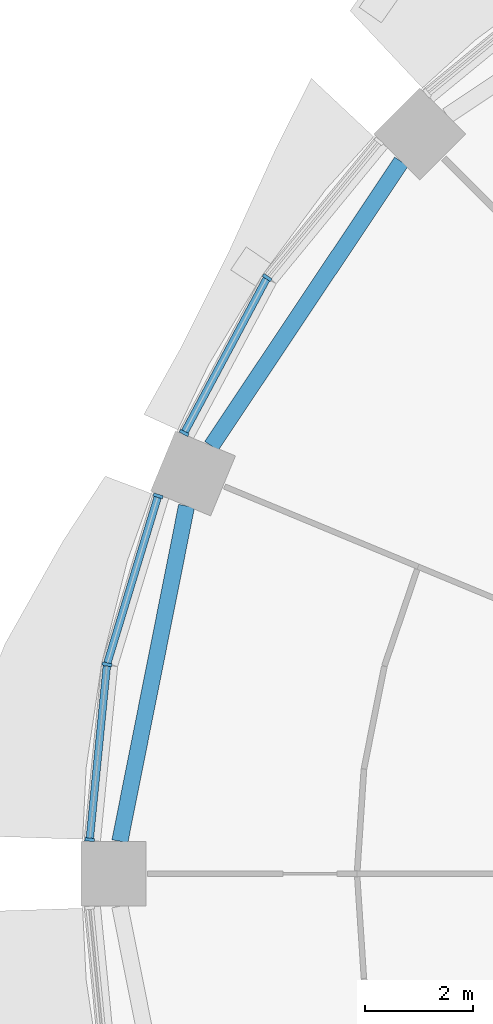
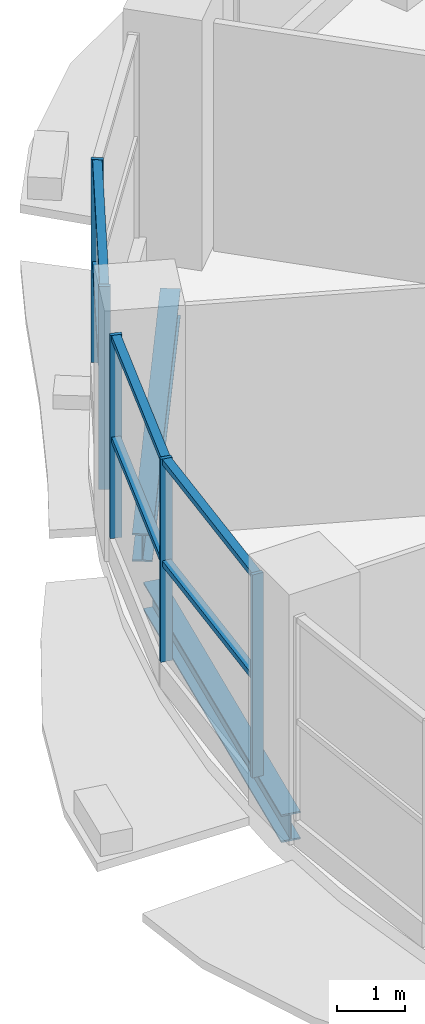
# One storey, part 3 of 14: 11 members, 2 beams, 2 elements without a shape of their own.
"""IFC4 building model written with IfcOpenShell, lengths in metres."""

from ifc_helpers import new_model, si_unit, direction, frame, origin, origin_2d, place, context, subcontext, project, spatial, rectangle, i_section, extrude, material, material_profile, profile_set, type_object, element, aggregate, save


model = new_model("IFC4")

# Units and contexts
model_context = context("Model", 3, precision=1e-05, world=origin(), true_north=direction((0.0, 1.0)))
body_context = subcontext(model_context, "Body", "Model", "MODEL_VIEW")
ifc_project = project(units=[si_unit("LENGTHUNIT", "METRE"), si_unit("AREAUNIT", "SQUARE_METRE"), si_unit("VOLUMEUNIT", "CUBIC_METRE"), si_unit("PLANEANGLEUNIT", "RADIAN"), si_unit("MASSUNIT", "GRAM", prefix="KILO")], contexts=[model_context])

# Site, building, storey
site_placement = place(None, origin())
site = spatial("IfcSite", under=ifc_project, at=site_placement, CompositionType="ELEMENT")
building_placement = place(site_placement, origin())
building = spatial("IfcBuilding", under=site, at=building_placement, Name="Polderwave Tower", CompositionType="ELEMENT")
storey_placement = place(building_placement, frame((0.0, 0.0, 9.89990234375)))
storey = spatial("IfcBuildingStorey", under=building, at=storey_placement, Name="L02", CompositionType="ELEMENT", Elevation=9.89990234375)

# Beams
ifc_material_1 = material(Name="Steel S355", Category="steel")
ifc_material_profile_1 = material_profile(ifc_material_1, i_section(OverallWidth=0.300048828125, OverallDepth=0.5, WebThickness=0.014404296875, FlangeThickness=0.028076171875, at=origin_2d()), Name="HE 500 B")
ifc_profile_set_1 = profile_set([ifc_material_profile_1], Name="Steel S355")
beam_type = type_object("IfcBeamType", Name="RING BEAM HE 500 B", PredefinedType="BEAM", material=ifc_profile_set_1)
for number, where, z_axis, x_axis, name in (
    (1, (-14.001220703125, 13.152587890625, -0.64990234375), (-0.555574248011, -0.831466929557, 0.0), (0.831466929557, -0.555574248011, 0.0), "ST-RB-L02-06"),
    (2, (-17.96875, 6.79345703125, -0.64990234375), (-0.195089989691, -0.980785346507, 0.0), (0.980785346507, -0.195089989691, 0.0), "ST-RB-L02-07"),
):
    element("IfcBeam", number, at=place(storey_placement, frame(where, z_axis=z_axis, x_axis=x_axis)), inside=storey, type_object=beam_type, Name=name, PredefinedType="BEAM", context=body_context, shape_type="SweptSolid", body=[
        extrude(i_section(OverallWidth=0.300048828125, OverallDepth=0.5, WebThickness=0.014404296875, FlangeThickness=0.028076171875, at=origin_2d()), origin(), (0.0, 0.0, 1.0), 6.314697265625),
    ])

# Curtain wall, members
ifc_material_2 = material(Name="Aluminium 6063-T6 and glass", Category="aluminium")
curtain_wall_type = type_object("IfcCurtainWallType", Name="Shopfront glazing wall", PredefinedType="NOTDEFINED", material=ifc_material_2)
curtain_wall_1_placement = place(storey_placement, origin())
curtain_wall_1 = element("IfcCurtainWall", 3, at=curtain_wall_1_placement, inside=storey, type_object=curtain_wall_type, Name="CW1 L02 06", PredefinedType="NOTDEFINED")
ifc_material_3 = material(Name="Aluminium 6063-T6", Category="aluminium")
ifc_material_profile_2 = material_profile(ifc_material_3, rectangle(XDim=0.179931640625, YDim=0.06005859375, at=origin_2d()), Name="AL 60x180")
ifc_profile_set_2 = profile_set([ifc_material_profile_2], Name="Aluminium 6063-T6")
member_type_1 = type_object("IfcMemberType", Name="Shopfront glazing mullion 60x180", PredefinedType="MULLION", material=ifc_profile_set_2)
member_1_placement = place(storey_placement, frame((-16.47998046875, 11.010986328125, 0.4501953125), z_axis=(0.0, 0.0, 1.0), x_axis=(0.831492883245, -0.555535404015, 0.0)))
member_1 = element("IfcMember", 4, at=member_1_placement, type_object=member_type_1, Name="CW1 mullion 2", PredefinedType="MULLION", context=body_context, shape_type="SweptSolid", body=[
    extrude(rectangle(XDim=0.179931640625, YDim=0.06005859375, at=origin_2d()), origin(), (0.0, 0.0, 1.0), 3.64990234375),
])
member_2_placement = place(storey_placement, frame((-18.012939453125, 8.142578125, 0.4501953125), z_axis=(0.0, 0.0, 1.0), x_axis=(0.881973091795, -0.471299761669, 0.0)))
member_2 = element("IfcMember", 5, at=member_2_placement, type_object=member_type_1, Name="CW1 mullion 3", PredefinedType="MULLION", context=body_context, shape_type="SweptSolid", body=[
    extrude(rectangle(XDim=0.179931640625, YDim=0.06005859375, at=origin_2d()), origin(), (0.0, 0.0, 1.0), 3.64990234375),
])

curtain_wall_2_placement = place(storey_placement, origin())
curtain_wall_2 = element("IfcCurtainWall", 6, at=curtain_wall_2_placement, inside=storey, type_object=curtain_wall_type, Name="CW1 L02 07", PredefinedType="NOTDEFINED")
member_3_placement = place(storey_placement, frame((-18.49462890625, 6.979248046875, 0.4501953125), z_axis=(0.0, 0.0, 1.0), x_axis=(0.956924628419, -0.290336452284, 0.0)))
member_3 = element("IfcMember", 7, at=member_3_placement, type_object=member_type_1, Name="CW1 mullion 1", PredefinedType="MULLION", context=body_context, shape_type="SweptSolid", body=[
    extrude(rectangle(XDim=0.179931640625, YDim=0.06005859375, at=origin_2d()), origin(), (0.0, 0.0, 1.0), 3.64990234375),
])
member_4_placement = place(storey_placement, frame((-19.43896484375, 3.866943359375, 0.4501953125), z_axis=(0.0, 0.0, 1.0), x_axis=(0.980773020581, -0.195151946188, 0.0)))
member_4 = element("IfcMember", 8, at=member_4_placement, type_object=member_type_1, Name="CW1 mullion 2", PredefinedType="MULLION", context=body_context, shape_type="SweptSolid", body=[
    extrude(rectangle(XDim=0.179931640625, YDim=0.06005859375, at=origin_2d()), origin(), (0.0, 0.0, 1.0), 3.64990234375),
])
member_5_placement = place(storey_placement, frame((-19.758056640625, 0.6298828125, 0.4501953125), z_axis=(0.0, 0.0, 1.0), x_axis=(0.99517788136, -0.098086617091, 0.0)))
member_5 = element("IfcMember", 9, at=member_5_placement, type_object=member_type_1, Name="CW1 mullion 3", PredefinedType="MULLION", context=body_context, shape_type="SweptSolid", body=[
    extrude(rectangle(XDim=0.179931640625, YDim=0.06005859375, at=origin_2d()), origin(), (0.0, 0.0, 1.0), 3.64990234375),
])

# Member
ifc_material_profile_3 = material_profile(ifc_material_3, rectangle(XDim=0.139892578125, YDim=0.10009765625, at=origin_2d()), Name="AL 100x140")
ifc_profile_set_3 = profile_set([ifc_material_profile_3], Name="Aluminium 6063-T6")
member_type_2 = type_object("IfcMemberType", Name="Shopfront glazing transom 100x140", PredefinedType="USERDEFINED", material=ifc_profile_set_3)
member_6_placement = place(storey_placement, frame((-16.494140625, 10.984619140625, 2.22509765625), z_axis=(-0.471306507321, -0.88196948709, 0.0), x_axis=(0.88196948709, -0.471306507321, 0.0)))
member_6 = element("IfcMember", 10, at=member_6_placement, type_object=member_type_2, Name="CW1 transom 3", ObjectType="TRANSOM", PredefinedType="USERDEFINED", context=body_context, shape_type="SweptSolid", body=[
    extrude(rectangle(XDim=0.139892578125, YDim=0.10009765625, at=origin_2d()), origin(), (0.0, 0.0, 1.0), 3.1923828125),
])

member_7_placement = place(storey_placement, frame((-16.494140625, 10.984619140625, 4.050048828125), z_axis=(-0.471306507321, -0.88196948709, 0.0), x_axis=(0.88196948709, -0.471306507321, 0.0)))
member_7 = element("IfcMember", 11, at=member_7_placement, type_object=member_type_2, Name="CW1 transom 4", ObjectType="TRANSOM", PredefinedType="USERDEFINED", context=body_context, shape_type="SweptSolid", body=[
    extrude(rectangle(XDim=0.139892578125, YDim=0.10009765625, at=origin_2d()), origin(), (0.0, 0.0, 1.0), 3.1923828125),
])

aggregate(curtain_wall_1, [member_1, member_2, member_6, member_7])

member_8_placement = place(storey_placement, frame((-18.50341796875, 6.95068359375, 2.22509765625), z_axis=(-0.290370318593, -0.956914352531, 0.0), x_axis=(0.956914352531, -0.290370318593, 0.0)))
member_8 = element("IfcMember", 12, at=member_8_placement, type_object=member_type_2, Name="CW1 transom 1", ObjectType="TRANSOM", PredefinedType="USERDEFINED", context=body_context, shape_type="SweptSolid", body=[
    extrude(rectangle(XDim=0.139892578125, YDim=0.10009765625, at=origin_2d()), origin(), (0.0, 0.0, 1.0), 3.1923828125),
])

member_9_placement = place(storey_placement, frame((-18.50341796875, 6.95068359375, 4.050048828125), z_axis=(-0.290370318593, -0.956914352531, 0.0), x_axis=(0.956914352531, -0.290370318593, 0.0)))
member_9 = element("IfcMember", 13, at=member_9_placement, type_object=member_type_2, Name="CW1 transom 2", ObjectType="TRANSOM", PredefinedType="USERDEFINED", context=body_context, shape_type="SweptSolid", body=[
    extrude(rectangle(XDim=0.139892578125, YDim=0.10009765625, at=origin_2d()), origin(), (0.0, 0.0, 1.0), 3.1923828125),
])

member_10_placement = place(storey_placement, frame((-19.44189453125, 3.837158203125, 2.22509765625), z_axis=(-0.098103046031, -0.995176261955, 0.0), x_axis=(0.995176261955, -0.098103046031, 0.0)))
member_10 = element("IfcMember", 14, at=member_10_placement, type_object=member_type_2, Name="CW1 transom 3", ObjectType="TRANSOM", PredefinedType="USERDEFINED", context=body_context, shape_type="SweptSolid", body=[
    extrude(rectangle(XDim=0.139892578125, YDim=0.10009765625, at=origin_2d()), origin(), (0.0, 0.0, 1.0), 3.19287109375),
])

member_11_placement = place(storey_placement, frame((-19.44189453125, 3.837158203125, 4.050048828125), z_axis=(-0.098103046031, -0.995176261955, 0.0), x_axis=(0.995176261955, -0.098103046031, 0.0)))
member_11 = element("IfcMember", 15, at=member_11_placement, type_object=member_type_2, Name="CW1 transom 4", ObjectType="TRANSOM", PredefinedType="USERDEFINED", context=body_context, shape_type="SweptSolid", body=[
    extrude(rectangle(XDim=0.139892578125, YDim=0.10009765625, at=origin_2d()), origin(), (0.0, 0.0, 1.0), 3.19287109375),
])

aggregate(curtain_wall_2, [member_3, member_4, member_5, member_8, member_9, member_10, member_11])

save(model, "model.ifc")
